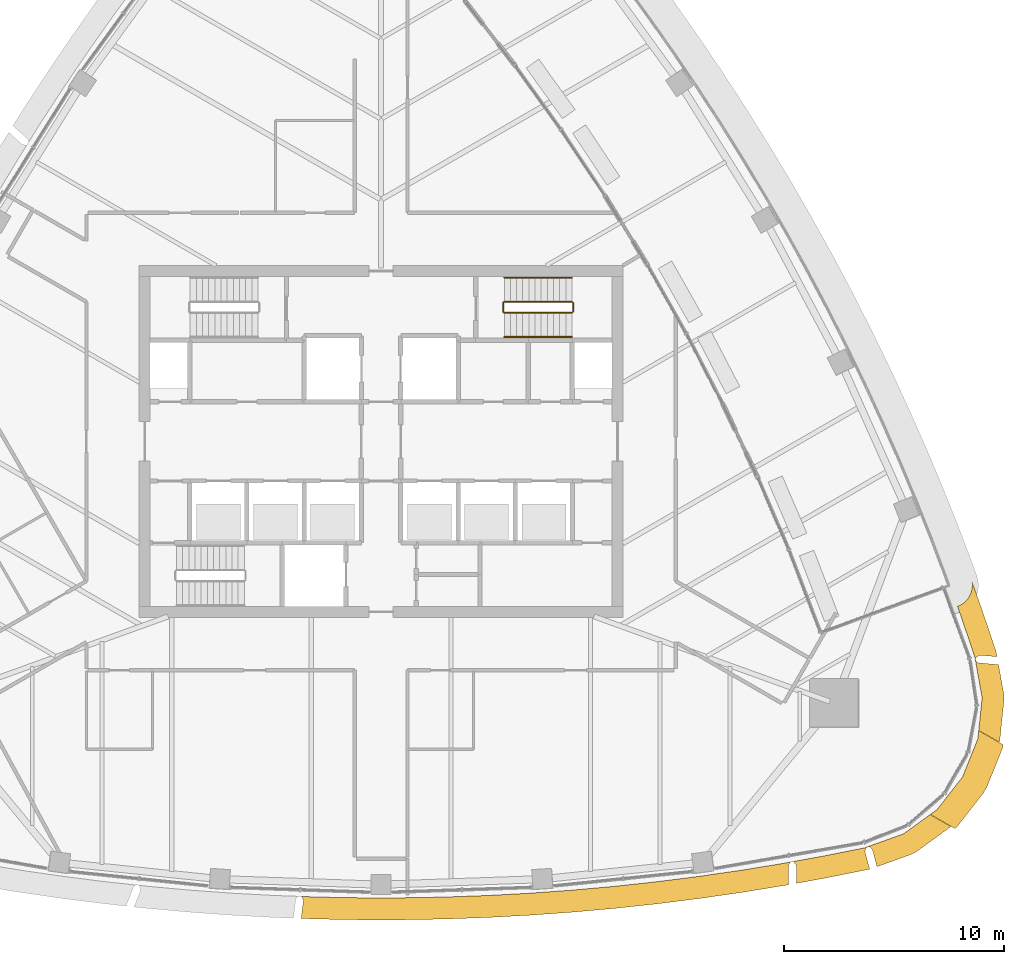
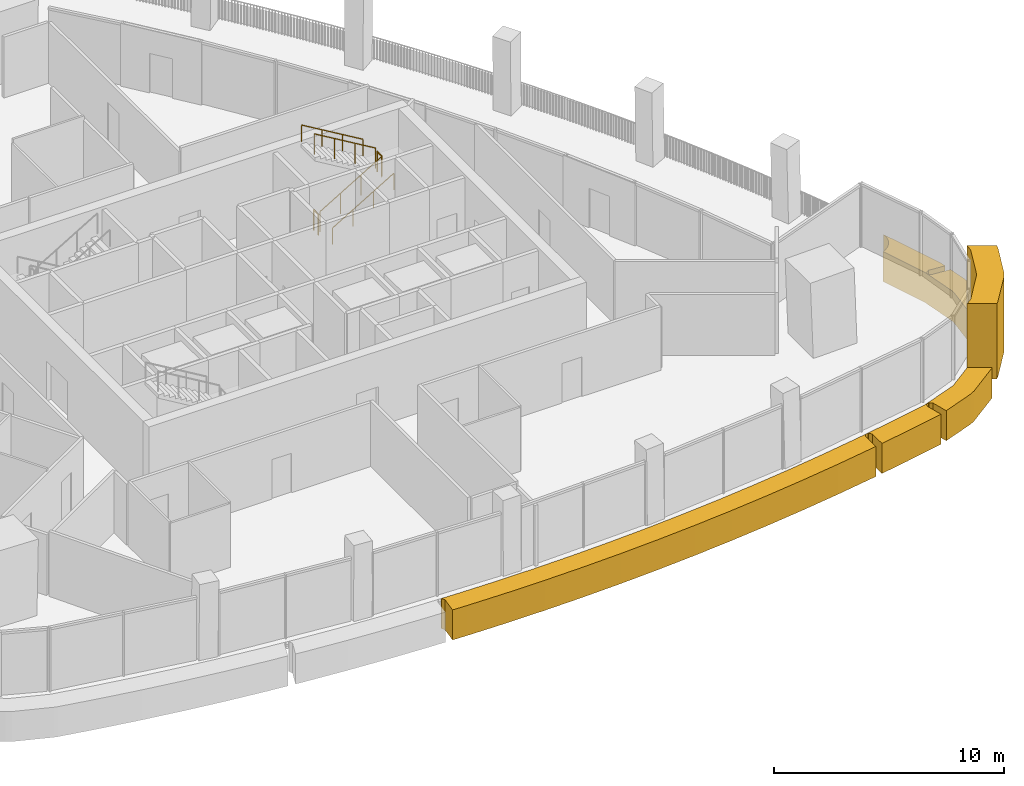
# One storey, part 15 of 18: 6 railings, 3 coverings.
"""IFC4 building model written with IfcOpenShell, lengths in metres."""

from ifc_helpers import new_model, si_unit, direction, frame, origin, origin_2d, place, context, subcontext, project, spatial, polyline, circle, outline, extrude, material, layer, layer_set, type_object, element, save


model = new_model("IFC4")

# Units and contexts
model_context = context("Model", 3, precision=1e-05, world=origin(), true_north=direction((0.0, 1.0)))
body_context = subcontext(model_context, "Body", "Model", "MODEL_VIEW")
ifc_project = project(units=[si_unit("LENGTHUNIT", "METRE"), si_unit("AREAUNIT", "SQUARE_METRE"), si_unit("VOLUMEUNIT", "CUBIC_METRE"), si_unit("PLANEANGLEUNIT", "RADIAN"), si_unit("MASSUNIT", "GRAM", prefix="KILO")], contexts=[model_context])

# Site, building, storey
site_placement = place(None, origin())
site = spatial("IfcSite", under=ifc_project, at=site_placement, CompositionType="ELEMENT")
building_placement = place(site_placement, origin())
building = spatial("IfcBuilding", under=site, at=building_placement, Name="Sierra Prisma Convention Tower", CompositionType="ELEMENT")
storey_placement = place(building_placement, frame((0.0, 0.0, 291.0)))
storey = spatial("IfcBuildingStorey", under=building, at=storey_placement, Name="L66", CompositionType="ELEMENT", Elevation=291.0)

# Coverings
ifc_material_1 = material(Name="Aluminium composite bronze anodised", Category="aluminium")
ifc_layer_1 = layer(ifc_material_1, 1.199951171875)
ifc_layer_set_1 = layer_set([ifc_layer_1], Name="Bronze corner pier")
covering_type_1 = type_object("IfcCoveringType", Name="Bronze corner pier", PredefinedType="CLADDING", material=ifc_layer_set_1)
covering_1_placement = place(storey_placement, frame((0.0, 0.0, -0.60009765625)))
element("IfcCovering", 1, at=covering_1_placement, inside=storey, type_object=covering_type_1, Name="Corner pier SE L66.1", PredefinedType="CLADDING", context=body_context, shape_type="SweptSolid", body=[
    extrude(outline(polyline([(28.29541015625, -13.7958984375), (28.25146484375, -13.97314453125), (27.5498046875, -15.71240234375), (27.382080078125, -16.002685546875), (26.226806640625, -17.47998046875), (26.095458984375, -17.6064453125), (24.977294921875, -16.9609375), (25.281494140625, -16.740478515625), (26.43701171875, -15.26318359375), (27.138671875, -13.524169921875), (27.17724609375, -13.150390625), (28.29541015625, -13.7958984375)])), origin(), (0.0, 0.0, 1.0), 4.0),
])
ifc_material_2 = material(Name="Aluminium composite bronze anodised", Category="aluminium")
ifc_layer_2 = layer(ifc_material_2, 1.0)
ifc_layer_set_2 = layer_set([ifc_layer_2], Name="Bronze spandrel band")
covering_type_2 = type_object("IfcCoveringType", Name="Bronze spandrel band", PredefinedType="CLADDING", material=ifc_layer_set_2)
covering_2_placement = place(storey_placement, frame((0.0, 0.0, -1.60009765625)))
element("IfcCovering", 2, at=covering_2_placement, inside=storey, type_object=covering_type_2, Name="Spandrel band L66.4", PredefinedType="CLADDING", context=body_context, shape_type="SweptSolid", body=[
    extrude(outline(polyline([(27.325927734375, -7.650146484375), (27.331787109375, -7.6669921875), (27.948974609375, -9.4921875), (27.986083984375, -9.636474609375), (28.013671875, -9.79052734375), (27.224365234375, -9.7236328125), (27.219482421875, -9.723388671875), (27.21435546875, -9.7236328125), (27.20947265625, -9.724609375), (27.20458984375, -9.725830078125), (27.2001953125, -9.7275390625), (27.195556640625, -9.729736328125), (27.19140625, -9.732421875), (27.053955078125, -9.828857421875), (27.05029296875, -9.831787109375), (27.046630859375, -9.835205078125), (27.043701171875, -9.838623046875), (27.040771484375, -9.842529296875), (27.038330078125, -9.846435546875), (27.036376953125, -9.850830078125), (27.034912109375, -9.855224609375), (27.03369140625, -9.85986328125), (27.032958984375, -9.864501953125), (27.03271484375, -9.869384765625), (27.03271484375, -9.8740234375), (27.033447265625, -9.878662109375), (27.051025390625, -9.97705078125), (27.05224609375, -9.98193359375), (27.0537109375, -9.986572265625), (27.055908203125, -9.9912109375), (27.058349609375, -9.995361328125), (27.06103515625, -9.99951171875), (27.064453125, -10.003173828125), (27.068115234375, -10.006591796875), (27.072021484375, -10.009521484375), (27.076171875, -10.01220703125), (27.1748046875, -10.06640625), (27.1796875, -10.068603515625), (27.1845703125, -10.0703125), (27.189697265625, -10.071533203125), (27.19482421875, -10.072265625), (28.077392578125, -10.147216796875), (28.316162109375, -11.482666015625), (28.326416015625, -11.76171875), (28.13330078125, -13.627197265625), (28.119384765625, -13.682861328125), (27.178466796875, -13.1396484375), (27.331787109375, -11.65869140625), (27.001708984375, -9.8125), (26.384521484375, -7.987548828125), (26.20947265625, -7.499267578125), (26.21630859375, -7.49658203125), (26.30810546875, -7.4580078125), (26.395751953125, -7.410400390625), (26.478271484375, -7.3544921875), (26.5546875, -7.290771484375), (26.625, -7.219970703125), (26.687744140625, -7.142578125), (26.74267578125, -7.059326171875), (26.789306640625, -6.971435546875), (26.8271484375, -6.879150390625), (26.855712890625, -6.78369140625), (26.874755859375, -6.685791015625), (26.884521484375, -6.586669921875), (26.88427734375, -6.487060546875), (26.87451171875, -6.390380859375), (27.325927734375, -7.650146484375)])), origin(), (0.0, 0.0, 1.0), 1.60009765625),
])
covering_3_placement = place(storey_placement, frame((0.0, 0.0, -1.60009765625)))
element("IfcCovering", 3, at=covering_3_placement, inside=storey, type_object=covering_type_2, Name="Spandrel band L66.5", PredefinedType="CLADDING", context=body_context, shape_type="SweptSolid", body=[
    extrude(outline(polyline([(22.55029296875, -19.341796875), (22.345703125, -18.5703125), (22.34423828125, -18.5654296875), (22.34228515625, -18.560791015625), (22.33984375, -18.556396484375), (22.3369140625, -18.552490234375), (22.33349609375, -18.548583984375), (22.330078125, -18.545166015625), (22.21533203125, -18.447265625), (22.211669921875, -18.4443359375), (22.20751953125, -18.44189453125), (22.203369140625, -18.439697265625), (22.19873046875, -18.43798828125), (22.194091796875, -18.4365234375), (22.189453125, -18.435791015625), (22.184814453125, -18.435302734375), (22.179931640625, -18.435302734375), (22.17529296875, -18.43603515625), (22.17041015625, -18.43701171875), (22.166015625, -18.438232421875), (22.072021484375, -18.472412109375), (22.0673828125, -18.47412109375), (22.06298828125, -18.4765625), (22.05908203125, -18.479248046875), (22.055419921875, -18.482177734375), (22.052001953125, -18.485595703125), (22.048828125, -18.489501953125), (22.046142578125, -18.493408203125), (22.043701171875, -18.497802734375), (22.0419921875, -18.502197265625), (22.04052734375, -18.5068359375), (22.00732421875, -18.634765625), (22.00634765625, -18.639892578125), (22.005859375, -18.644775390625), (22.005859375, -18.64990234375), (22.006591796875, -18.655029296875), (22.007568359375, -18.66015625), (22.217529296875, -19.4521484375), (22.19482421875, -19.45849609375), (20.305908203125, -19.83642578125), (20.2880859375, -19.83984375), (18.883056640625, -20.0947265625), (18.879150390625, -19.287109375), (18.87890625, -19.282470703125), (18.87841796875, -19.27783203125), (18.877197265625, -19.2734375), (18.875732421875, -19.26904296875), (18.873779296875, -19.2646484375), (18.87158203125, -19.2607421875), (18.868896484375, -19.2568359375), (18.771484375, -19.130615234375), (18.768310546875, -19.126708984375), (18.764892578125, -19.123291015625), (18.760986328125, -19.1201171875), (18.756591796875, -19.117431640625), (18.752197265625, -19.115234375), (18.74755859375, -19.113525390625), (18.742919921875, -19.1123046875), (18.73779296875, -19.111328125), (18.73291015625, -19.111083984375), (18.72802734375, -19.111083984375), (18.722900390625, -19.11181640625), (18.62451171875, -19.129638671875), (18.61962890625, -19.130859375), (18.61474609375, -19.132568359375), (18.610107421875, -19.134765625), (18.605712890625, -19.137451171875), (18.6015625, -19.140380859375), (18.59765625, -19.14404296875), (18.59423828125, -19.14794921875), (18.59130859375, -19.152099609375), (18.5888671875, -19.156494140625), (18.534423828125, -19.266357421875), (18.532470703125, -19.2705078125), (18.531005859375, -19.275146484375), (18.530029296875, -19.279541015625), (18.529296875, -19.2841796875), (18.529296875, -19.288818359375), (18.533447265625, -20.158203125), (18.392578125, -20.183837890625), (18.375, -20.18701171875), (16.473388671875, -20.496826171875), (16.455810546875, -20.49951171875), (14.548828125, -20.775390625), (14.53125, -20.77783203125), (12.619873046875, -21.019287109375), (12.60205078125, -21.021484375), (10.6865234375, -21.228515625), (10.668701171875, -21.230224609375), (8.75, -21.403076171875), (8.73193359375, -21.404541015625), (6.810302734375, -21.542724609375), (6.79248046875, -21.5439453125), (4.86865234375, -21.647705078125), (4.850830078125, -21.6484375), (2.92529296875, -21.717529296875), (2.907470703125, -21.718017578125), (0.981201171875, -21.752685546875), (0.96337890625, -21.752685546875), (-0.96337890625, -21.752685546875), (-0.981201171875, -21.752685546875), (-2.907470703125, -21.718017578125), (-2.92529296875, -21.717529296875), (-3.63525390625, -21.692138671875), (-3.5341796875, -20.87646484375), (-3.533935546875, -20.871337890625), (-3.5341796875, -20.866455078125), (-3.53466796875, -20.861328125), (-3.535888671875, -20.8564453125), (-3.53759765625, -20.851806640625), (-3.53955078125, -20.84716796875), (-3.609375, -20.713623046875), (-3.61181640625, -20.70947265625), (-3.614501953125, -20.705810546875), (-3.617919921875, -20.7021484375), (-3.621337890625, -20.69873046875), (-3.625, -20.69580078125), (-3.629150390625, -20.693359375), (-3.632568359375, -20.69140625), (-2.889404296875, -20.71826171875), (-0.96337890625, -20.752685546875), (0.96337890625, -20.752685546875), (2.889404296875, -20.71826171875), (4.81494140625, -20.649169921875), (6.738525390625, -20.54541015625), (8.66015625, -20.406982421875), (10.5791015625, -20.234375), (12.494384765625, -20.027099609375), (14.40576171875, -19.78564453125), (16.3125, -19.510009765625), (18.214111328125, -19.199951171875), (20.109619140625, -18.85595703125), (21.998779296875, -18.477783203125), (23.7626953125, -17.8408203125), (24.968505859375, -16.96728515625), (25.909423828125, -17.5107421875), (25.8681640625, -17.550537109375), (24.34912109375, -18.650634765625), (24.102294921875, -18.78125), (22.55029296875, -19.341796875)])), origin(), (0.0, 0.0, 1.0), 1.60009765625),
])

# Railings
ifc_material_3 = material(Name="Stainless steel", Category="steel")
railing_type_1 = type_object("IfcRailingType", Name="Exit stair handrail", PredefinedType="HANDRAIL", material=ifc_material_3)
railing_1_placement = place(storey_placement, frame((5.60009765625, 4.75, 0.166748046875)))
element("IfcRailing", 4, at=railing_1_placement, inside=storey, type_object=railing_type_1, Name="L66 S4 stair handrail 1", PredefinedType="HANDRAIL", context=body_context, shape_type="SweptSolid", body=[
    extrude(circle(Radius=0.02392578125, at=origin_2d()), frame((0.0, 0.0, 0.8759765625), z_axis=(0.859290745958, 0.0, 0.51148745235), x_axis=(0.0, 1.0, 0.0)), (0.0, 0.0, 1.0), 3.584228515625),
    extrude(circle(Radius=0.02099609375, at=origin_2d()), origin(), (0.0, 0.0, 1.0), 0.851806640625),
    extrude(circle(Radius=0.02099609375, at=origin_2d()), frame((1.026611328125, 0.0, 0.611083984375)), (0.0, 0.0, 1.0), 0.851806640625),
    extrude(circle(Radius=0.02099609375, at=origin_2d()), frame((2.05322265625, 0.0, 1.22216796875)), (0.0, 0.0, 1.0), 0.851806640625),
    extrude(circle(Radius=0.02099609375, at=origin_2d()), frame((3.079833984375, 0.0, 1.833251953125)), (0.0, 0.0, 1.0), 0.851806640625),
])
railing_2_placement = place(storey_placement, frame((8.679931640625, 7.449951171875, 2.166748046875)))
element("IfcRailing", 5, at=railing_2_placement, inside=storey, type_object=railing_type_1, Name="L66 S4 stair handrail 2", PredefinedType="HANDRAIL", context=body_context, shape_type="SweptSolid", body=[
    extrude(circle(Radius=0.02392578125, at=origin_2d()), frame((0.0, 0.0, 0.8759765625), z_axis=(-0.859290745958, 0.0, 0.51148745235), x_axis=(0.0, -1.0, 0.0)), (0.0, 0.0, 1.0), 3.584228515625),
    extrude(circle(Radius=0.02099609375, at=origin_2d()), origin(), (0.0, 0.0, 1.0), 0.851806640625),
    extrude(circle(Radius=0.02099609375, at=origin_2d()), frame((-1.026611328125, 0.0, 0.611083984375)), (0.0, 0.0, 1.0), 0.851806640625),
    extrude(circle(Radius=0.02099609375, at=origin_2d()), frame((-2.05322265625, 0.0, 1.22216796875)), (0.0, 0.0, 1.0), 0.851806640625),
    extrude(circle(Radius=0.02099609375, at=origin_2d()), frame((-3.079833984375, 0.0, 1.833251953125)), (0.0, 0.0, 1.0), 0.851806640625),
])
ifc_material_4 = material(Name="Stainless steel", Category="steel")
railing_type_2 = type_object("IfcRailingType", Name="Stair guard 1100", PredefinedType="GUARDRAIL", material=ifc_material_4)
railing_3_placement = place(storey_placement, frame((5.60009765625, 5.85009765625, 0.166748046875)))
element("IfcRailing", 6, at=railing_3_placement, inside=storey, type_object=railing_type_2, Name="L66 S4 stair guard 1", PredefinedType="GUARDRAIL", context=body_context, shape_type="SweptSolid", body=[
    extrude(circle(Radius=0.02392578125, at=origin_2d()), frame((0.0, 0.0, 1.076171875), z_axis=(0.859290745958, 0.0, 0.51148745235), x_axis=(0.0, 1.0, 0.0)), (0.0, 0.0, 1.0), 3.584228515625),
    extrude(circle(Radius=0.02099609375, at=origin_2d()), origin(), (0.0, 0.0, 1.0), 1.052001953125),
    extrude(circle(Radius=0.02099609375, at=origin_2d()), frame((1.026611328125, 0.0, 0.611083984375)), (0.0, 0.0, 1.0), 1.052001953125),
    extrude(circle(Radius=0.02099609375, at=origin_2d()), frame((2.05322265625, 0.0, 1.22216796875)), (0.0, 0.0, 1.0), 1.052001953125),
    extrude(circle(Radius=0.02099609375, at=origin_2d()), frame((3.079833984375, 0.0, 1.833251953125)), (0.0, 0.0, 1.0), 1.052001953125),
])
railing_4_placement = place(storey_placement, frame((8.72998046875, 5.89990234375, 2.0)))
element("IfcRailing", 7, at=railing_4_placement, inside=storey, type_object=railing_type_2, Name="L66 S4 stair guard 2", PredefinedType="GUARDRAIL", context=body_context, shape_type="SweptSolid", body=[
    extrude(circle(Radius=0.02392578125, at=origin_2d()), frame((0.0, 0.0, 1.076171875), z_axis=(0.0, 1.0, 0.0), x_axis=(-1.0, 0.0, 0.0)), (0.0, 0.0, 1.0), 0.400146484375),
    extrude(circle(Radius=0.02099609375, at=origin_2d()), origin(), (0.0, 0.0, 1.0), 1.052001953125),
    extrude(circle(Radius=0.02099609375, at=origin_2d()), frame((0.0, 0.400146484375, 0.0)), (0.0, 0.0, 1.0), 1.052001953125),
])
railing_5_placement = place(storey_placement, frame((8.679931640625, 6.35009765625, 2.166748046875)))
element("IfcRailing", 8, at=railing_5_placement, inside=storey, type_object=railing_type_2, Name="L66 S4 stair guard 3", PredefinedType="GUARDRAIL", context=body_context, shape_type="SweptSolid", body=[
    extrude(circle(Radius=0.02392578125, at=origin_2d()), frame((0.0, 0.0, 1.076171875), z_axis=(-0.859290745958, 0.0, 0.51148745235), x_axis=(0.0, -1.0, 0.0)), (0.0, 0.0, 1.0), 3.584228515625),
    extrude(circle(Radius=0.02099609375, at=origin_2d()), origin(), (0.0, 0.0, 1.0), 1.052001953125),
    extrude(circle(Radius=0.02099609375, at=origin_2d()), frame((-1.026611328125, 0.0, 0.611083984375)), (0.0, 0.0, 1.0), 1.052001953125),
    extrude(circle(Radius=0.02099609375, at=origin_2d()), frame((-2.05322265625, 0.0, 1.22216796875)), (0.0, 0.0, 1.0), 1.052001953125),
    extrude(circle(Radius=0.02099609375, at=origin_2d()), frame((-3.079833984375, 0.0, 1.833251953125)), (0.0, 0.0, 1.0), 1.052001953125),
])
railing_6_placement = place(storey_placement, frame((5.550048828125, 5.89990234375, 0.0)))
element("IfcRailing", 9, at=railing_6_placement, inside=storey, type_object=railing_type_2, Name="L66 S4 stair guard 4", PredefinedType="GUARDRAIL", context=body_context, shape_type="SweptSolid", body=[
    extrude(circle(Radius=0.02392578125, at=origin_2d()), frame((0.0, 0.0, 1.076171875), z_axis=(0.0, 1.0, 0.0), x_axis=(-1.0, 0.0, 0.0)), (0.0, 0.0, 1.0), 0.400146484375),
    extrude(circle(Radius=0.02099609375, at=origin_2d()), origin(), (0.0, 0.0, 1.0), 1.052001953125),
    extrude(circle(Radius=0.02099609375, at=origin_2d()), frame((0.0, 0.400146484375, 0.0)), (0.0, 0.0, 1.0), 1.052001953125),
])

save(model, "model.ifc")
